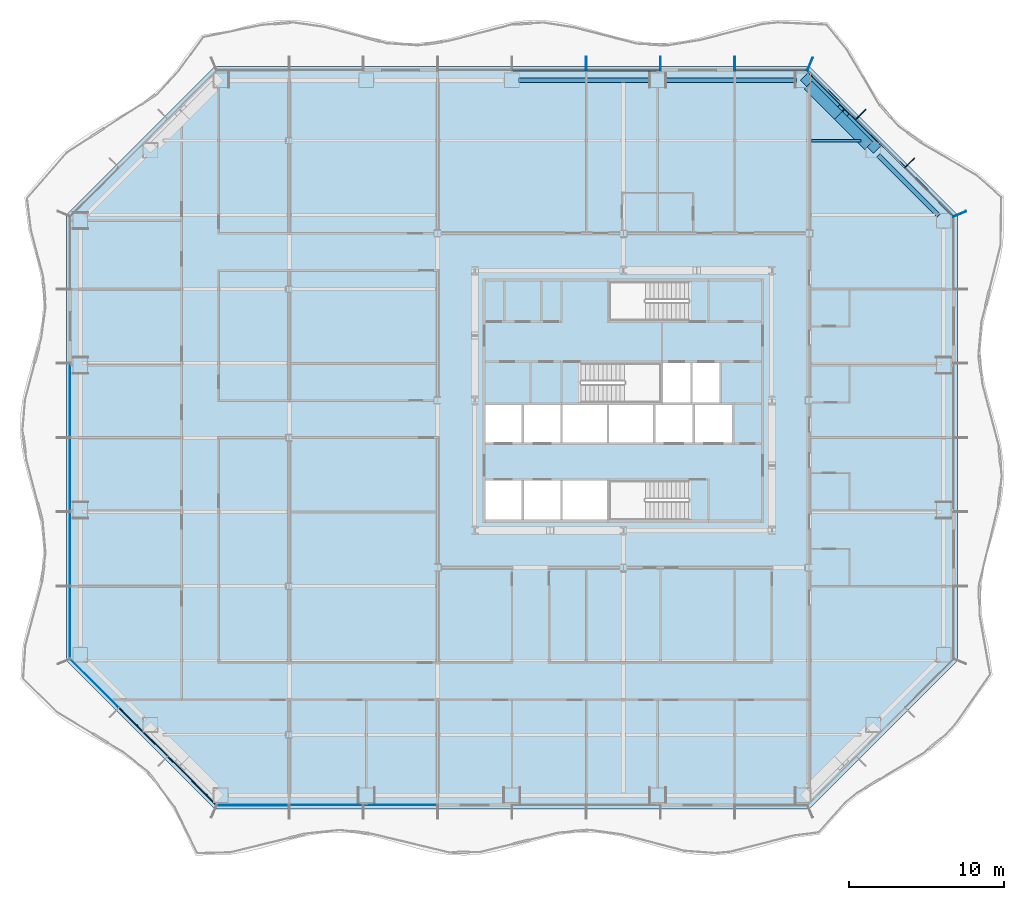
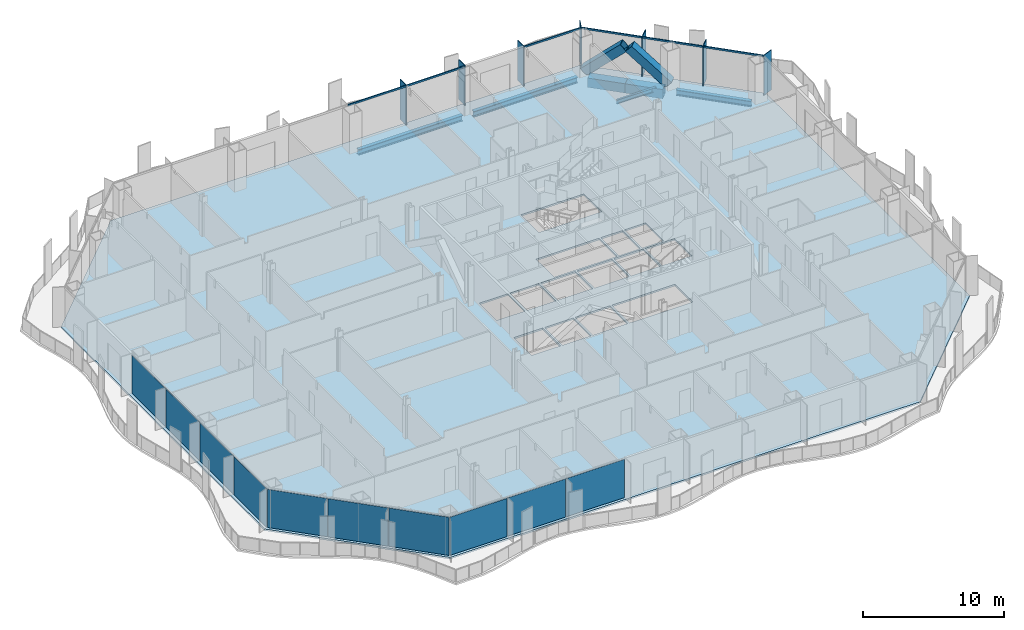
# One storey, part 4 of 20: 15 members, 10 plates, 6 beams, 1 slab, 5 elements without a shape of their own.
"""IFC4 building model written with IfcOpenShell, lengths in metres."""

from ifc_helpers import new_model, si_unit, direction, frame, origin, origin_2d, place, context, subcontext, project, spatial, polyline, rectangle, hollow_rectangle, i_section, outline, extrude, material, layer, layer_set, material_profile, profile_set, type_object, element, aggregate, save


model = new_model("IFC4")

# Units and contexts
model_context = context("Model", 3, precision=1e-05, world=origin(), true_north=direction((0.0, 1.0)))
body_context = subcontext(model_context, "Body", "Model", "MODEL_VIEW")
ifc_project = project(units=[si_unit("LENGTHUNIT", "METRE"), si_unit("AREAUNIT", "SQUARE_METRE"), si_unit("VOLUMEUNIT", "CUBIC_METRE"), si_unit("PLANEANGLEUNIT", "RADIAN"), si_unit("MASSUNIT", "GRAM", prefix="KILO")], contexts=[model_context])

# Site, building, storey
site_placement = place(None, origin())
site = spatial("IfcSite", under=ifc_project, at=site_placement, CompositionType="ELEMENT")
building_placement = place(site_placement, origin())
building = spatial("IfcBuilding", under=site, at=building_placement, Name="Cairn Pilgrim Tower", CompositionType="ELEMENT")
storey_placement = place(building_placement, frame((0.0, 0.0, 51.0)))
storey = spatial("IfcBuildingStorey", under=building, at=storey_placement, Name="L10", CompositionType="ELEMENT", Elevation=51.0)

# Members
ifc_material_1 = material(Name="Structural steel S460M", Category="steel")
ifc_material_profile_1 = material_profile(ifc_material_1, hollow_rectangle(XDim=0.699951171875, YDim=0.699951171875, WallThickness=0.0400390625, at=origin_2d()), Name="BOX 700x700x40")
ifc_profile_set_1 = profile_set([ifc_material_profile_1], Name="Structural steel S460M")
member_type_1 = type_object("IfcMemberType", Name="BOX 700x700x40 BRACE", PredefinedType="BRACE", material=ifc_profile_set_1)
member_1_placement = place(storey_placement, frame((23.44482421875, 18.786376953125, 0.14990234375), z_axis=(-0.528068439288, 0.528068439288, 0.665046950866), x_axis=(-0.707106781187, -0.707106781187, 0.0)))
element("IfcMember", 1, at=member_1_placement, inside=storey, type_object=member_type_1, Name="XB-NE2-N1-1", PredefinedType="BRACE", context=body_context, shape_type="SweptSolid", body=[
    extrude(hollow_rectangle(XDim=0.699951171875, YDim=0.699951171875, WallThickness=0.0400390625, at=origin_2d()), origin(), (0.0, 0.0, 1.0), 3.899658203125),
])
member_2_placement = place(storey_placement, frame((19.0498046875, 23.181396484375, 0.14990234375), z_axis=(0.528096125699, -0.528096125699, 0.665002980477), x_axis=(0.707106781187, 0.707106781187, 0.0)))
element("IfcMember", 2, at=member_2_placement, inside=storey, type_object=member_type_1, Name="XB-NE2-N1-2", PredefinedType="BRACE", context=body_context, shape_type="SweptSolid", body=[
    extrude(hollow_rectangle(XDim=0.699951171875, YDim=0.699951171875, WallThickness=0.0400390625, at=origin_2d()), origin(), (0.0, 0.0, 1.0), 3.89990234375),
])

# Beams
ifc_material_2 = material(Name="Structural steel S355J2", Category="steel")
ifc_material_profile_2 = material_profile(ifc_material_2, hollow_rectangle(XDim=0.699951171875, YDim=0.800048828125, WallThickness=0.0400390625, at=origin_2d()), Name="BOX 700x800x40")
ifc_profile_set_2 = profile_set([ifc_material_profile_2], Name="Structural steel S355J2")
beam_type_1 = type_object("IfcBeamType", Name="BOX 700x800x40 RING GIRDER", PredefinedType="SPANDREL", material=ifc_profile_set_2)
for number, where, z_axis, x_axis, name in (
    (3, (23.04541015625, 18.8818359375, -0.550048828125), (-0.707106781187, 0.707106781187, 0.0), (-0.707106781187, -0.707106781187, 0.0), "RG1-NE2-N1-1"),
    (4, (21.095458984375, 20.831787109375, -0.550048828125), (-0.707106781187, 0.707106781187, 0.0), (-0.707106781187, -0.707106781187, 0.0), "RG1-NE2-N1-2"),
):
    element("IfcBeam", number, at=place(storey_placement, frame(where, z_axis=z_axis, x_axis=x_axis)), inside=storey, type_object=beam_type_1, Name=name, PredefinedType="SPANDREL", context=body_context, shape_type="SweptSolid", body=[
        extrude(hollow_rectangle(XDim=0.699951171875, YDim=0.800048828125, WallThickness=0.0400390625, at=origin_2d()), origin(), (0.0, 0.0, 1.0), 2.757568359375),
    ])

# Curtain wall, members
ifc_material_3 = material(Name="Aluminium alloy 6063-T6 bronze anodised with Bronze tinted laminated low-E glass 8+16+8.8", Category="aluminium")
curtain_wall_type_1 = type_object("IfcCurtainWallType", Name="CHAMFER CORNER CURTAIN WALL", PredefinedType="NOTDEFINED", material=ifc_material_3)
curtain_wall_1_placement = place(storey_placement, origin())
curtain_wall_1 = element("IfcCurtainWall", 5, at=curtain_wall_1_placement, inside=storey, type_object=curtain_wall_type_1, Name="Chamfer Corner Curtain Wall NE", PredefinedType="NOTDEFINED")
ifc_material_4 = material(Name="Aluminium alloy 6063-T6 bronze anodised", Category="aluminium")
ifc_material_profile_3 = material_profile(ifc_material_4, rectangle(XDim=0.89990234375, YDim=0.06005859375, at=origin_2d()), Name="FIN MULLION 60x900 BRONZE")
ifc_profile_set_3 = profile_set([ifc_material_profile_3], Name="Aluminium alloy 6063-T6 bronze anodised")
member_type_2 = type_object("IfcMemberType", Name="FIN MULLION 60x900 BRONZE", PredefinedType="MULLION", material=ifc_profile_set_3)
member_3_placement = place(storey_placement, frame((28.93798828125, 14.457275390625, 0.0), z_axis=(0.0, 0.0, 1.0), x_axis=(0.923879532511, 0.382683432365, 0.0)))
member_3 = element("IfcMember", 6, at=member_3_placement, type_object=member_type_2, Name="Fin mullion NE1", PredefinedType="MULLION", context=body_context, shape_type="SweptSolid", body=[
    extrude(rectangle(XDim=0.89990234375, YDim=0.06005859375, at=origin_2d()), origin(), (0.0, 0.0, 1.0), 3.449951171875),
])
member_4_placement = place(storey_placement, frame((25.69580078125, 17.74462890625, 0.0), z_axis=(0.0, 0.0, 1.0), x_axis=(0.707106781187, 0.707106781187, 0.0)))
member_4 = element("IfcMember", 7, at=member_4_placement, type_object=member_type_2, Name="Fin mullion NE2", PredefinedType="MULLION", context=body_context, shape_type="SweptSolid", body=[
    extrude(rectangle(XDim=0.89990234375, YDim=0.06005859375, at=origin_2d()), origin(), (0.0, 0.0, 1.0), 3.449951171875),
])
member_5_placement = place(storey_placement, frame((22.544677734375, 20.895751953125, 0.0), z_axis=(0.0, 0.0, 1.0), x_axis=(0.707106781187, 0.707106781187, 0.0)))
member_5 = element("IfcMember", 8, at=member_5_placement, type_object=member_type_2, Name="Fin mullion NE3", PredefinedType="MULLION", context=body_context, shape_type="SweptSolid", body=[
    extrude(rectangle(XDim=0.89990234375, YDim=0.06005859375, at=origin_2d()), origin(), (0.0, 0.0, 1.0), 3.449951171875),
])

curtain_wall_type_2 = type_object("IfcCurtainWallType", Name="TOWER STICK CURTAIN WALL NS", PredefinedType="NOTDEFINED", material=ifc_material_3)
curtain_wall_2_placement = place(storey_placement, origin())
curtain_wall_2 = element("IfcCurtainWall", 9, at=curtain_wall_2_placement, inside=storey, type_object=curtain_wall_type_2, Name="Tower Stick Curtain Wall Ns N", PredefinedType="NOTDEFINED")
member_6_placement = place(storey_placement, frame((19.257080078125, 24.137939453125, 0.0), z_axis=(0.0, 0.0, 1.0), x_axis=(0.382683432365, 0.923879532511, 0.0)))
member_6 = element("IfcMember", 10, at=member_6_placement, type_object=member_type_2, Name="Fin mullion N1", PredefinedType="MULLION", context=body_context, shape_type="SweptSolid", body=[
    extrude(rectangle(XDim=0.89990234375, YDim=0.06005859375, at=origin_2d()), origin(), (0.0, 0.0, 1.0), 3.449951171875),
])
member_7_placement = place(storey_placement, frame((14.39990234375, 24.169921875, 0.0), z_axis=(0.0, 0.0, 1.0), x_axis=(0.0, 1.0, 0.0)))
member_7 = element("IfcMember", 11, at=member_7_placement, type_object=member_type_2, Name="Fin mullion N2", PredefinedType="MULLION", context=body_context, shape_type="SweptSolid", body=[
    extrude(rectangle(XDim=0.89990234375, YDim=0.06005859375, at=origin_2d()), origin(), (0.0, 0.0, 1.0), 3.449951171875),
])
member_8_placement = place(storey_placement, frame((9.60009765625, 24.169921875, 0.0), z_axis=(0.0, 0.0, 1.0), x_axis=(0.0, 1.0, 0.0)))
member_8 = element("IfcMember", 12, at=member_8_placement, type_object=member_type_2, Name="Fin mullion N3", PredefinedType="MULLION", context=body_context, shape_type="SweptSolid", body=[
    extrude(rectangle(XDim=0.89990234375, YDim=0.06005859375, at=origin_2d()), origin(), (0.0, 0.0, 1.0), 3.449951171875),
])
member_9_placement = place(storey_placement, frame((4.800048828125, 24.169921875, 0.0), z_axis=(0.0, 0.0, 1.0), x_axis=(0.0, 1.0, 0.0)))
member_9 = element("IfcMember", 13, at=member_9_placement, type_object=member_type_2, Name="Fin mullion N4", PredefinedType="MULLION", context=body_context, shape_type="SweptSolid", body=[
    extrude(rectangle(XDim=0.89990234375, YDim=0.06005859375, at=origin_2d()), origin(), (0.0, 0.0, 1.0), 3.449951171875),
])

# Beams
ifc_material_profile_4 = material_profile(ifc_material_2, i_section(OverallWidth=0.300048828125, OverallDepth=0.5, WebThickness=0.014404296875, FlangeThickness=0.028076171875, FilletRadius=0.027099609375, at=origin_2d()), Name="HEB 500")
ifc_profile_set_4 = profile_set([ifc_material_profile_4], Name="Structural steel S355J2")
beam_type_2 = type_object("IfcBeamType", Name="HEB 500 RING GIRDER", PredefinedType="SPANDREL", material=ifc_profile_set_4)
beam_1_placement = place(storey_placement, frame((27.581787109375, 14.345458984375, -0.39990234375), z_axis=(-0.707106781187, 0.707106781187, 0.0), x_axis=(-0.707106781187, -0.707106781187, 0.0)))
element("IfcBeam", 14, at=beam_1_placement, inside=storey, type_object=beam_type_2, Name="RG1-NE1-NE2", PredefinedType="SPANDREL", context=body_context, shape_type="SweptSolid", body=[
    extrude(i_section(OverallWidth=0.300048828125, OverallDepth=0.5, WebThickness=0.014404296875, FlangeThickness=0.028076171875, FilletRadius=0.027099609375, at=origin_2d()), origin(), (0.0, 0.0, 1.0), 5.515380859375),
])
for number, where, z_axis, x_axis, name in (
    (15, (18.377197265625, 23.10009765625, -0.39990234375), (-1.0, 0.0, 0.0), (0.0, -1.0, 0.0), "RG1-N1-N2"),
    (16, (8.963623046875, 23.10009765625, -0.39990234375), (-1.0, 0.0, 0.0), (0.0, -1.0, 0.0), "RG1-N2-N3"),
):
    element("IfcBeam", number, at=place(storey_placement, frame(where, z_axis=z_axis, x_axis=x_axis)), inside=storey, type_object=beam_type_2, Name=name, PredefinedType="SPANDREL", context=body_context, shape_type="SweptSolid", body=[
        extrude(i_section(OverallWidth=0.300048828125, OverallDepth=0.5, WebThickness=0.014404296875, FlangeThickness=0.028076171875, FilletRadius=0.027099609375, at=origin_2d()), origin(), (0.0, 0.0, 1.0), 8.513671875),
    ])
ifc_material_profile_5 = material_profile(ifc_material_2, i_section(OverallWidth=0.169921875, OverallDepth=0.360107421875, WebThickness=0.008056640625, FlangeThickness=0.0126953125, FilletRadius=0.01806640625, at=origin_2d()), Name="IPE 360")
ifc_profile_set_5 = profile_set([ifc_material_profile_5], Name="Structural steel S355J2")
beam_type_3 = type_object("IfcBeamType", Name="IPE 360 SECONDARY BEAM", PredefinedType="JOIST", material=ifc_profile_set_5)
beam_2_placement = place(storey_placement, frame((19.35009765625, 19.199951171875, -0.330078125), z_axis=(1.0, 0.0, 0.0), x_axis=(0.0, 1.0, 0.0)))
element("IfcBeam", 17, at=beam_2_placement, inside=storey, type_object=beam_type_3, Name="SB9-5", PredefinedType="JOIST", context=body_context, shape_type="SweptSolid", body=[
    extrude(i_section(OverallWidth=0.169921875, OverallDepth=0.360107421875, WebThickness=0.008056640625, FlangeThickness=0.0126953125, FilletRadius=0.01806640625, at=origin_2d()), origin(), (0.0, 0.0, 1.0), 3.195068359375),
])

# Member
ifc_material_profile_6 = material_profile(ifc_material_4, rectangle(XDim=0.080078125, YDim=0.14990234375, at=origin_2d()), Name="TRANSOM 80x150 BRONZE")
ifc_profile_set_6 = profile_set([ifc_material_profile_6], Name="Aluminium alloy 6063-T6 bronze anodised")
member_type_3 = type_object("IfcMemberType", Name="TRANSOM 80x150 BRONZE", PredefinedType="USERDEFINED", material=ifc_profile_set_6)
member_10_placement = place(storey_placement, frame((28.521728515625, 14.32470703125, 3.375), z_axis=(-0.707106781187, 0.707106781187, 0.0), x_axis=(-0.707106781187, -0.707106781187, 0.0)))
member_10 = element("IfcMember", 18, at=member_10_placement, type_object=member_type_3, Name="Transom NE1", ObjectType="TRANSOM", PredefinedType="USERDEFINED", context=body_context, shape_type="SweptSolid", body=[
    extrude(rectangle(XDim=0.080078125, YDim=0.14990234375, at=origin_2d()), origin(), (0.0, 0.0, 1.0), 4.38671875),
])

member_11_placement = place(storey_placement, frame((25.377685546875, 17.46875, 3.375), z_axis=(-0.707106781187, 0.707106781187, 0.0), x_axis=(-0.707106781187, -0.707106781187, 0.0)))
member_11 = element("IfcMember", 19, at=member_11_placement, type_object=member_type_3, Name="Transom NE2", ObjectType="TRANSOM", PredefinedType="USERDEFINED", context=body_context, shape_type="SweptSolid", body=[
    extrude(rectangle(XDim=0.080078125, YDim=0.14990234375, at=origin_2d()), origin(), (0.0, 0.0, 1.0), 4.396728515625),
])

member_12_placement = place(storey_placement, frame((22.226318359375, 20.6201171875, 3.375), z_axis=(-0.707106781187, 0.707106781187, 0.0), x_axis=(-0.707106781187, -0.707106781187, 0.0)))
member_12 = element("IfcMember", 20, at=member_12_placement, type_object=member_type_3, Name="Transom NE3", ObjectType="TRANSOM", PredefinedType="USERDEFINED", context=body_context, shape_type="SweptSolid", body=[
    extrude(rectangle(XDim=0.080078125, YDim=0.14990234375, at=origin_2d()), origin(), (0.0, 0.0, 1.0), 4.38623046875),
])

aggregate(curtain_wall_1, [member_3, member_4, member_5, member_10, member_11, member_12])

member_13_placement = place(storey_placement, frame((19.056396484375, 23.75, 3.375), z_axis=(-1.0, 0.0, 0.0), x_axis=(0.0, -1.0, 0.0)))
member_13 = element("IfcMember", 21, at=member_13_placement, type_object=member_type_3, Name="Transom N1", ObjectType="TRANSOM", PredefinedType="USERDEFINED", context=body_context, shape_type="SweptSolid", body=[
    extrude(rectangle(XDim=0.080078125, YDim=0.14990234375, at=origin_2d()), origin(), (0.0, 0.0, 1.0), 4.62646484375),
])

member_14_placement = place(storey_placement, frame((9.570068359375, 23.75, 3.375), z_axis=(-1.0, 0.0, 0.0), x_axis=(0.0, -1.0, 0.0)))
member_14 = element("IfcMember", 22, at=member_14_placement, type_object=member_type_3, Name="Transom N3", ObjectType="TRANSOM", PredefinedType="USERDEFINED", context=body_context, shape_type="SweptSolid", body=[
    extrude(rectangle(XDim=0.080078125, YDim=0.14990234375, at=origin_2d()), origin(), (0.0, 0.0, 1.0), 4.739990234375),
])

member_15_placement = place(storey_placement, frame((4.77001953125, 23.75, 3.375), z_axis=(-1.0, 0.0, 0.0), x_axis=(0.0, -1.0, 0.0)))
member_15 = element("IfcMember", 23, at=member_15_placement, type_object=member_type_3, Name="Transom N4", ObjectType="TRANSOM", PredefinedType="USERDEFINED", context=body_context, shape_type="SweptSolid", body=[
    extrude(rectangle(XDim=0.080078125, YDim=0.14990234375, at=origin_2d()), origin(), (0.0, 0.0, 1.0), 4.739990234375),
])

aggregate(curtain_wall_2, [member_6, member_7, member_8, member_9, member_13, member_14, member_15])

# Slab
ifc_material_5 = material(Name="Concrete C35/45", Category="concrete")
ifc_layer_1 = layer(ifc_material_5, 0.14990234375)
ifc_layer_set_1 = layer_set([ifc_layer_1], Name="COMPOSITE FLOOR SLAB 150")
slab_type = type_object("IfcSlabType", Name="COMPOSITE FLOOR SLAB 150", PredefinedType="FLOOR", material=ifc_layer_set_1)
slab_placement = place(storey_placement, frame((0.0, 0.0, -0.14990234375)))
element("IfcSlab", 24, at=slab_placement, inside=storey, type_object=slab_type, Name="FLOOR SLAB L10", PredefinedType="FLOOR", context=body_context, shape_type="SweptSolid", body=[
    extrude(outline(polyline([(-19.199951171875, -24.0), (19.199951171875, -24.0), (28.800048828125, -14.39990234375), (28.800048828125, 14.39990234375), (19.199951171875, 24.0), (-19.199951171875, 24.0), (-28.800048828125, 14.39990234375), (-28.800048828125, -14.39990234375), (-19.199951171875, -24.0)]), holes=[polyline([(-1.72509765625, -5.300048828125), (0.625, -5.300048828125), (0.625, -2.77490234375), (-1.72509765625, -2.77490234375), (-1.72509765625, -5.300048828125)]), polyline([(0.77490234375, -5.300048828125), (3.125, -5.300048828125), (3.125, -2.77490234375), (0.77490234375, -2.77490234375), (0.77490234375, -5.300048828125)]), polyline([(-1.72509765625, -0.324951171875), (0.625, -0.324951171875), (0.625, 2.125), (-1.72509765625, 2.125), (-1.72509765625, -0.324951171875)]), polyline([(0.77490234375, -0.324951171875), (3.125, -0.324951171875), (3.125, 2.125), (0.77490234375, 2.125), (0.77490234375, -0.324951171875)]), polyline([(3.27490234375, -5.300048828125), (6.125, -5.300048828125), (6.125, -2.77490234375), (3.27490234375, -2.77490234375), (3.27490234375, -5.300048828125)]), polyline([(3.27490234375, -0.324951171875), (6.125, -0.324951171875), (6.125, 2.125), (3.27490234375, 2.125), (3.27490234375, -0.324951171875)]), polyline([(6.27490234375, -0.324951171875), (9.125, -0.324951171875), (9.125, 2.125), (6.27490234375, 2.125), (6.27490234375, -0.324951171875)]), polyline([(9.27490234375, -0.324951171875), (11.675048828125, -0.324951171875), (11.675048828125, 2.125), (9.27490234375, 2.125), (9.27490234375, -0.324951171875)]), polyline([(11.824951171875, -0.324951171875), (14.22509765625, -0.324951171875), (14.22509765625, 2.125), (11.824951171875, 2.125), (11.824951171875, -0.324951171875)]), polyline([(9.77490234375, 2.27490234375), (11.52490234375, 2.27490234375), (11.52490234375, 4.824951171875), (9.77490234375, 4.824951171875), (9.77490234375, 2.27490234375)]), polyline([(11.675048828125, 2.27490234375), (13.425048828125, 2.27490234375), (13.425048828125, 4.824951171875), (11.675048828125, 4.824951171875), (11.675048828125, 2.27490234375)]), polyline([(11.424560546875, -2.77490234375), (6.27490234375, -2.77490234375), (6.27490234375, -5.300048828125), (11.424560546875, -5.300048828125), (11.424560546875, -2.77490234375)]), polyline([(4.4755859375, 2.27490234375), (9.625, 2.27490234375), (9.625, 4.824951171875), (4.4755859375, 4.824951171875), (4.4755859375, 2.27490234375)]), polyline([(11.424560546875, 10.10009765625), (6.27490234375, 10.10009765625), (6.27490234375, 7.574951171875), (11.424560546875, 7.574951171875), (11.424560546875, 10.10009765625)])]), origin(), (0.0, 0.0, 1.0), 0.14990234375),
])

# Curtain wall, plates
curtain_wall_3_placement = place(storey_placement, origin())
curtain_wall_3 = element("IfcCurtainWall", 25, at=curtain_wall_3_placement, inside=storey, type_object=curtain_wall_type_1, Name="Chamfer Corner Curtain Wall SW", PredefinedType="NOTDEFINED")
ifc_material_6 = material(Name="Bronze anodised aluminium spandrel panel with mineral wool insulation", Category="aluminium")
ifc_layer_2 = layer(ifc_material_6, 0.06005859375)
ifc_layer_set_2 = layer_set([ifc_layer_2], Name="SPANDREL PANEL 4386x3300")
plate_type_1 = type_object("IfcPlateType", Name="SPANDREL PANEL 4386x3300", PredefinedType="CURTAIN_PANEL", material=ifc_layer_set_2)
plate_1_placement = place(storey_placement, frame((-20.675537109375, -22.1708984375, 0.0), z_axis=(0.0, 0.0, 1.0), x_axis=(0.707106781187, -0.707106781187, 0.0)))
plate_1 = element("IfcPlate", 26, at=plate_1_placement, type_object=plate_type_1, Name="Spandrel Panel SW3-1", PredefinedType="CURTAIN_PANEL", context=body_context, shape_type="SweptSolid", body=[
    extrude(rectangle(XDim=4.386474609375, YDim=0.06005859375, at=origin_2d()), origin(), (0.0, 0.0, 1.0), 3.300048828125),
])
ifc_layer_3 = layer(ifc_material_6, 0.06005859375)
ifc_layer_set_3 = layer_set([ifc_layer_3], Name="SPANDREL PANEL 4396x3300")
plate_type_2 = type_object("IfcPlateType", Name="SPANDREL PANEL 4396x3300", PredefinedType="CURTAIN_PANEL", material=ifc_layer_set_3)
plate_2_placement = place(storey_placement, frame((-23.8232421875, -19.023193359375, 0.0), z_axis=(0.0, 0.0, 1.0), x_axis=(0.707106781187, -0.707106781187, 0.0)))
plate_2 = element("IfcPlate", 27, at=plate_2_placement, type_object=plate_type_2, Name="Spandrel Panel SW2-1", PredefinedType="CURTAIN_PANEL", context=body_context, shape_type="SweptSolid", body=[
    extrude(rectangle(XDim=4.396484375, YDim=0.06005859375, at=origin_2d()), origin(), (0.0, 0.0, 1.0), 3.300048828125),
])

# Curtain wall, plate
curtain_wall_4_placement = place(storey_placement, origin())
curtain_wall_4 = element("IfcCurtainWall", 28, at=curtain_wall_4_placement, inside=storey, type_object=curtain_wall_type_2, Name="Tower Stick Curtain Wall Ns S", PredefinedType="NOTDEFINED")
ifc_layer_4 = layer(ifc_material_6, 0.06005859375)
ifc_layer_set_4 = layer_set([ifc_layer_4], Name="SPANDREL PANEL 4626x3300")
plate_type_3 = type_object("IfcPlateType", Name="SPANDREL PANEL 4626x3300", PredefinedType="CURTAIN_PANEL", material=ifc_layer_set_4)
plate_3_placement = place(storey_placement, frame((-16.7431640625, -23.75, 0.0), z_axis=(0.0, 0.0, 1.0), x_axis=(1.0, 0.0, 0.0)))
plate_3 = element("IfcPlate", 29, at=plate_3_placement, type_object=plate_type_3, Name="Spandrel Panel S1-1", PredefinedType="CURTAIN_PANEL", context=body_context, shape_type="SweptSolid", body=[
    extrude(rectangle(XDim=4.62646484375, YDim=0.06005859375, at=origin_2d()), origin(), (0.0, 0.0, 1.0), 3.300048828125),
])

# Plate
ifc_material_7 = material(Name="Bronze tinted laminated low-E glass 8+16+8.8", Category="glass")
ifc_layer_5 = layer(ifc_material_7, 0.033935546875)
ifc_layer_set_5 = layer_set([ifc_layer_5], Name="VISION GLAZING 4386x3300")
plate_type_4 = type_object("IfcPlateType", Name="VISION GLAZING 4386x3300", PredefinedType="CURTAIN_PANEL", material=ifc_layer_set_5)
plate_4_placement = place(storey_placement, frame((-26.970947265625, -15.87548828125, 0.0), z_axis=(0.0, 0.0, 1.0), x_axis=(0.707106781187, -0.707106781187, 0.0)))
plate_4 = element("IfcPlate", 30, at=plate_4_placement, type_object=plate_type_4, Name="Vision Glazing SW1-1", PredefinedType="CURTAIN_PANEL", context=body_context, shape_type="SweptSolid", body=[
    extrude(rectangle(XDim=4.386474609375, YDim=0.033935546875, at=origin_2d()), origin(), (0.0, 0.0, 1.0), 3.300048828125),
])

aggregate(curtain_wall_3, [plate_4, plate_2, plate_1])

# Curtain wall, plate
curtain_wall_type_3 = type_object("IfcCurtainWallType", Name="TOWER STICK CURTAIN WALL EW", PredefinedType="NOTDEFINED", material=ifc_material_3)
curtain_wall_5_placement = place(storey_placement, origin())
curtain_wall_5 = element("IfcCurtainWall", 31, at=curtain_wall_5_placement, inside=storey, type_object=curtain_wall_type_3, Name="Tower Stick Curtain Wall Ew W", PredefinedType="NOTDEFINED")
ifc_layer_6 = layer(ifc_material_7, 0.033935546875)
ifc_layer_set_6 = layer_set([ifc_layer_6], Name="VISION GLAZING 4626x3300")
plate_type_5 = type_object("IfcPlateType", Name="VISION GLAZING 4626x3300", PredefinedType="CURTAIN_PANEL", material=ifc_layer_set_6)
plate_5_placement = place(storey_placement, frame((-28.550048828125, -11.943115234375, 0.0), z_axis=(0.0, 0.0, 1.0), x_axis=(0.0, -1.0, 0.0)))
plate_5 = element("IfcPlate", 32, at=plate_5_placement, type_object=plate_type_5, Name="Vision Glazing W6-1", PredefinedType="CURTAIN_PANEL", context=body_context, shape_type="SweptSolid", body=[
    extrude(rectangle(XDim=4.62646484375, YDim=0.033935546875, at=origin_2d()), origin(), (0.0, 0.0, 1.0), 3.300048828125),
])

# Plate
ifc_layer_7 = layer(ifc_material_7, 0.033935546875)
ifc_layer_set_7 = layer_set([ifc_layer_7], Name="VISION GLAZING 4740x3300")
plate_type_6 = type_object("IfcPlateType", Name="VISION GLAZING 4740x3300", PredefinedType="CURTAIN_PANEL", material=ifc_layer_set_7)
plate_6_placement = place(storey_placement, frame((-12.0, -23.75, 0.0), z_axis=(0.0, 0.0, 1.0), x_axis=(1.0, 0.0, 0.0)))
plate_6 = element("IfcPlate", 33, at=plate_6_placement, type_object=plate_type_6, Name="Vision Glazing S2-1", PredefinedType="CURTAIN_PANEL", context=body_context, shape_type="SweptSolid", body=[
    extrude(rectangle(XDim=4.739990234375, YDim=0.033935546875, at=origin_2d()), origin(), (0.0, 0.0, 1.0), 3.300048828125),
])

plate_7_placement = place(storey_placement, frame((-7.199951171875, -23.75, 0.0), z_axis=(0.0, 0.0, 1.0), x_axis=(1.0, 0.0, 0.0)))
plate_7 = element("IfcPlate", 34, at=plate_7_placement, type_object=plate_type_6, Name="Vision Glazing S3-1", PredefinedType="CURTAIN_PANEL", context=body_context, shape_type="SweptSolid", body=[
    extrude(rectangle(XDim=4.739990234375, YDim=0.033935546875, at=origin_2d()), origin(), (0.0, 0.0, 1.0), 3.300048828125),
])

aggregate(curtain_wall_4, [plate_3, plate_6, plate_7])

plate_8_placement = place(storey_placement, frame((-28.550048828125, 2.39990234375, 0.0), z_axis=(0.0, 0.0, 1.0), x_axis=(0.0, -1.0, 0.0)))
plate_8 = element("IfcPlate", 35, at=plate_8_placement, type_object=plate_type_6, Name="Vision Glazing W3-1", PredefinedType="CURTAIN_PANEL", context=body_context, shape_type="SweptSolid", body=[
    extrude(rectangle(XDim=4.739990234375, YDim=0.033935546875, at=origin_2d()), origin(), (0.0, 0.0, 1.0), 3.300048828125),
])

plate_9_placement = place(storey_placement, frame((-28.550048828125, -2.39990234375, 0.0), z_axis=(0.0, 0.0, 1.0), x_axis=(0.0, -1.0, 0.0)))
plate_9 = element("IfcPlate", 36, at=plate_9_placement, type_object=plate_type_6, Name="Vision Glazing W4-1", PredefinedType="CURTAIN_PANEL", context=body_context, shape_type="SweptSolid", body=[
    extrude(rectangle(XDim=4.739990234375, YDim=0.033935546875, at=origin_2d()), origin(), (0.0, 0.0, 1.0), 3.300048828125),
])

plate_10_placement = place(storey_placement, frame((-28.550048828125, -7.199951171875, 0.0), z_axis=(0.0, 0.0, 1.0), x_axis=(0.0, -1.0, 0.0)))
plate_10 = element("IfcPlate", 37, at=plate_10_placement, type_object=plate_type_6, Name="Vision Glazing W5-1", PredefinedType="CURTAIN_PANEL", context=body_context, shape_type="SweptSolid", body=[
    extrude(rectangle(XDim=4.739990234375, YDim=0.033935546875, at=origin_2d()), origin(), (0.0, 0.0, 1.0), 3.300048828125),
])

aggregate(curtain_wall_5, [plate_8, plate_9, plate_10, plate_5])

save(model, "model.ifc")
